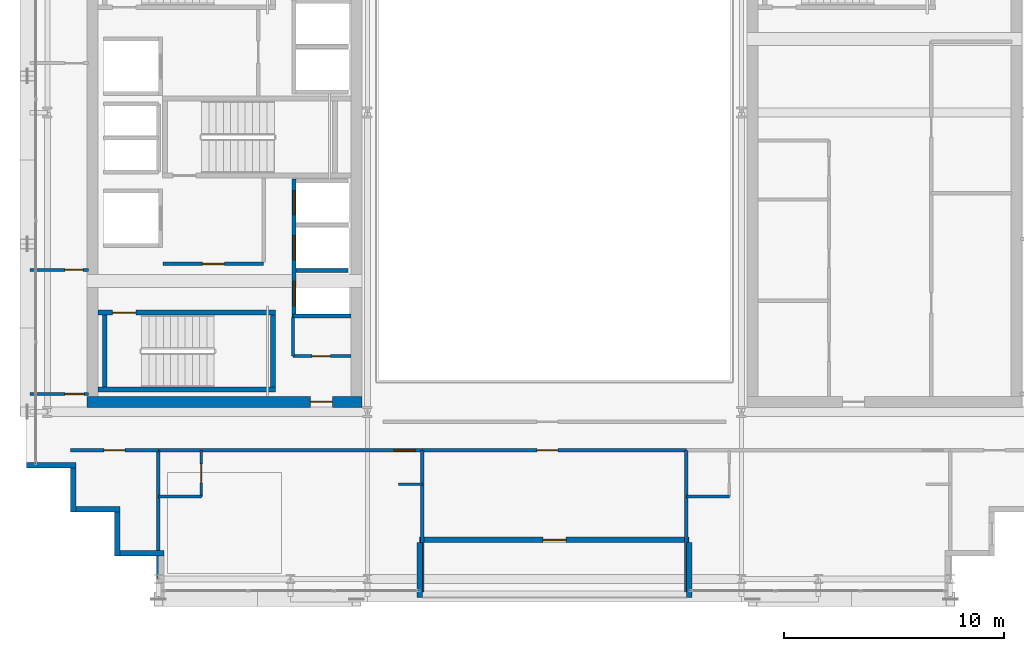
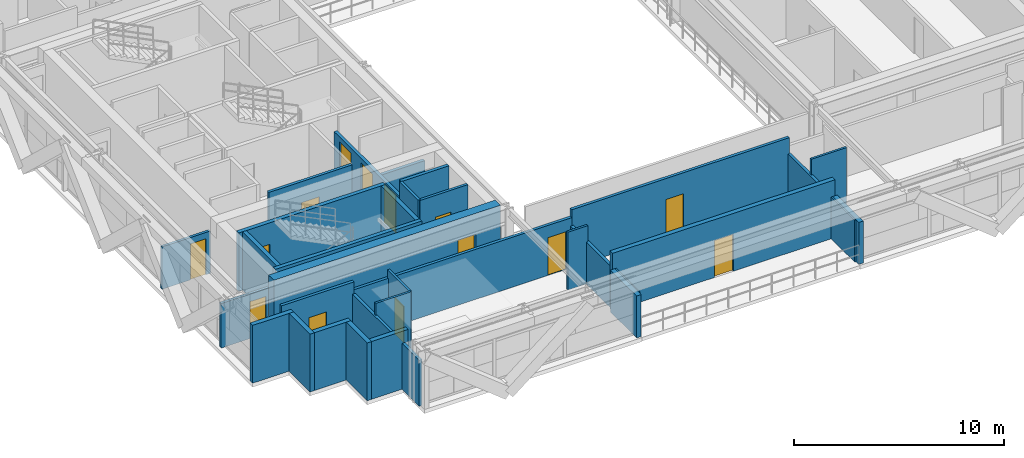
# One storey, part 24 of 31: 31 walls, 14 doors, 14 openings.
"""IFC4 building model written with IfcOpenShell, lengths in metres."""

from ifc_helpers import new_model, si_unit, direction, frame, frame_2d, origin, place, context, subcontext, project, spatial, rectangle, extrude, source, transform, mapped, material, layer, layer_set, type_object, element, fill, save


model = new_model("IFC4")

# Units and contexts
model_context = context("Model", 3, precision=1e-05, world=origin(), true_north=direction((0.0, 1.0)))
body_context = subcontext(model_context, "Body", "Model", "MODEL_VIEW")
ifc_project = project(units=[si_unit("LENGTHUNIT", "METRE"), si_unit("AREAUNIT", "SQUARE_METRE"), si_unit("VOLUMEUNIT", "CUBIC_METRE"), si_unit("PLANEANGLEUNIT", "RADIAN"), si_unit("MASSUNIT", "GRAM", prefix="KILO")], contexts=[model_context])

# Site, building, storey
site_placement = place(None, origin())
site = spatial("IfcSite", under=ifc_project, at=site_placement, CompositionType="ELEMENT")
building_placement = place(site_placement, origin())
building = spatial("IfcBuilding", under=site, at=building_placement, Name="Ocotamira Hotel", CompositionType="ELEMENT")
storey_placement = place(building_placement, frame((0.0, 0.0, 199.199951171875)))
storey = spatial("IfcBuildingStorey", under=building, at=storey_placement, Name="L50", CompositionType="ELEMENT", Elevation=199.199951171875)

# Wall, opening, door
ifc_material_1 = material(Name="Concrete C50/60", Category="concrete")
ifc_layer_1 = layer(ifc_material_1, 0.5)
ifc_layer_set_1 = layer_set([ifc_layer_1], Name="Concrete C50/60")
wall_type_1 = type_object("IfcWallType", Name="WL-CORE-500", PredefinedType="SHEAR", material=ifc_layer_set_1)
wall_1_placement = place(storey_placement, frame((10.75, 15.0, 0.0), z_axis=(0.0, 0.0, 1.0), x_axis=(1.0, 0.0, 0.0)))
wall_1 = element("IfcWall", 1, at=wall_1_placement, inside=storey, type_object=wall_type_1, Name="L50 Shear Core Wall WCORE-S", PredefinedType="SHEAR", context=body_context, shape_type="SweptSolid", body=[
    extrude(rectangle(XDim=12.5, YDim=0.5, at=frame_2d((6.25, 0.0))), origin(), (0.0, 0.0, 1.0), 3.3701171875),
])
opening_1_placement = place(wall_1_placement, frame((10.14990234375, 0.0, 0.0)))
opening_1 = element("IfcOpeningElement", 2, at=opening_1_placement, cuts=wall_1, Name="Opening D-FR2", PredefinedType="OPENING", context=body_context, shape_type="SweptSolid", body=[
    extrude(rectangle(XDim=1.0, YDim=2.14990234375, at=frame_2d((0.5, 1.074951171875))), frame((0.0, 0.260009765625, 0.0), z_axis=(0.0, -1.0, 0.0), x_axis=(1.0, 0.0, 0.0)), (0.0, 0.0, 1.0), 0.52001953125),
])
ifc_material_2 = material(Name="Fire-rated acoustic timber-veneer door", Category="wood")
door_type_1 = type_object("IfcDoorType", Name="DR-FIRE-1000", OperationType="NOTDEFINED", PredefinedType="DOOR", material=ifc_material_2)
shared_shape_1 = source(origin(), body_context, "Body", "SweptSolid", [
    extrude(rectangle(XDim=1.0, YDim=2.14990234375, at=frame_2d((0.5, 1.074951171875))), frame((0.0, 0.02490234375, 0.0), z_axis=(0.0, -1.0, 0.0), x_axis=(1.0, 0.0, 0.0)), (0.0, 0.0, 1.0), 0.050048828125),
])
door_1_placement = place(opening_1_placement, origin())
door_1 = element("IfcDoor", 3, at=door_1_placement, inside=storey, type_object=door_type_1, Name="L50 Door ID-L50-WLOB-S-D [ID-L50-WLOB-S-D]", OperationType="SINGLE_SWING_LEFT", OverallHeight=2.14990234375, OverallWidth=1.0, PredefinedType="DOOR", context=body_context, shape_type="MappedRepresentation", body=[
    mapped(shared_shape_1, transform((0.0, 0.0, 0.0), scale=1.0)),
])
fill(opening_1, door_1)

# Walls
ifc_material_3 = material(Name="Precast concrete C45/55", Category="concrete")
ifc_layer_2 = layer(ifc_material_3, 0.25)
ifc_layer_set_2 = layer_set([ifc_layer_2], Name="Precast concrete C45/55")
wall_type_2 = type_object("IfcWallType", Name="WL-EXT-SER-250", PredefinedType="SOLIDWALL", material=ifc_layer_set_2)
wall_2_placement = place(storey_placement, frame((8.0, 12.125, 0.0), z_axis=(0.0, 0.0, 1.0), x_axis=(1.0, 0.0, 0.0)))
element("IfcWall", 4, at=wall_2_placement, inside=storey, type_object=wall_type_2, Name="L50 Serrated Corner Wall 19", PredefinedType="SOLIDWALL", context=body_context, shape_type="SweptSolid", body=[
    extrude(rectangle(XDim=2.25, YDim=0.25, at=frame_2d((1.125, 0.0))), origin(), (0.0, 0.0, 1.0), 3.3701171875),
])
for number, where, z_axis, x_axis, name in (
    (5, (10.125, 12.0, 0.0), (0.0, 0.0, 1.0), (0.0, -1.0, 0.0), "L50 Serrated Corner Wall 20"),
    (6, (10.25, 10.125, 0.0), (0.0, 0.0, 1.0), (1.0, 0.0, 0.0), "L50 Serrated Corner Wall 21"),
    (7, (12.125, 10.0, 0.0), (0.0, 0.0, 1.0), (0.0, -1.0, 0.0), "L50 Serrated Corner Wall 22"),
    (8, (12.25, 8.125, 0.0), (0.0, 0.0, 1.0), (1.0, 0.0, 0.0), "L50 Serrated Corner Wall 23"),
):
    element("IfcWall", number, at=place(storey_placement, frame(where, z_axis=z_axis, x_axis=x_axis)), inside=storey, type_object=wall_type_2, Name=name, PredefinedType="SOLIDWALL", context=body_context, shape_type="SweptSolid", body=[
        extrude(rectangle(XDim=2.0, YDim=0.25, at=frame_2d((1.0, 0.0))), origin(), (0.0, 0.0, 1.0), 3.3701171875),
    ])

# Wall, opening, door
wall_3_placement = place(storey_placement, frame((25.875, 8.72509765625, 0.0), z_axis=(0.0, 0.0, 1.0), x_axis=(1.0, 0.0, 0.0)))
wall_3 = element("IfcWall", 9, at=wall_3_placement, inside=storey, type_object=wall_type_2, Name="L50 Sky Terrace Back Wall 1", PredefinedType="SOLIDWALL", context=body_context, shape_type="SweptSolid", body=[
    extrude(rectangle(XDim=12.25, YDim=0.25, at=frame_2d((6.125, 0.0))), origin(), (0.0, 0.0, 1.0), 3.3701171875),
])
opening_2_placement = place(wall_3_placement, frame((5.60009765625, 0.0, 0.0)))
opening_2 = element("IfcOpeningElement", 10, at=opening_2_placement, cuts=wall_3, Name="Opening ED-3", PredefinedType="OPENING", context=body_context, shape_type="SweptSolid", body=[
    extrude(rectangle(XDim=1.050048828125, YDim=2.14990234375, at=frame_2d((0.52490234375, 1.074951171875))), frame((0.0, 0.135009765625, 0.0), z_axis=(0.0, -1.0, 0.0), x_axis=(1.0, 0.0, 0.0)), (0.0, 0.0, 1.0), 0.27001953125),
])
ifc_material_4 = material(Name="Thermally broken aluminium glazed door", Category="aluminium")
door_type_2 = type_object("IfcDoorType", Name="DR-TERR-1050", OperationType="NOTDEFINED", PredefinedType="DOOR", material=ifc_material_4)
shared_shape_2 = source(origin(), body_context, "Body", "SweptSolid", [
    extrude(rectangle(XDim=1.050048828125, YDim=2.14990234375, at=frame_2d((0.52490234375, 1.074951171875))), frame((0.0, 0.02490234375, 0.0), z_axis=(0.0, -1.0, 0.0), x_axis=(1.0, 0.0, 0.0)), (0.0, 0.0, 1.0), 0.050048828125),
])
door_2_placement = place(opening_2_placement, origin())
door_2 = element("IfcDoor", 11, at=door_2_placement, inside=storey, type_object=door_type_2, Name="L50 Sky Terrace Access Door 1 [ED-BAL-L50-1]", OperationType="SINGLE_SWING_RIGHT", OverallHeight=2.14990234375, OverallWidth=1.050048828125, PredefinedType="DOOR", context=body_context, shape_type="MappedRepresentation", body=[
    mapped(shared_shape_2, transform((0.0, 0.0, 0.0), scale=1.0)),
])
fill(opening_2, door_2)

# Walls
for number, where, z_axis, x_axis, name in (
    (12, (25.875, 6.10009765625, 0.0), (0.0, 0.0, 1.0), (0.0, 1.0, 0.0), "L50 Sky Terrace Return Wall 1L"),
    (13, (38.125, 6.10009765625, 0.0), (0.0, 0.0, 1.0), (0.0, 1.0, 0.0), "L50 Sky Terrace Return Wall 1R"),
):
    element("IfcWall", number, at=place(storey_placement, frame(where, z_axis=z_axis, x_axis=x_axis)), inside=storey, type_object=wall_type_2, Name=name, PredefinedType="SOLIDWALL", context=body_context, shape_type="SweptSolid", body=[
        extrude(rectangle(XDim=2.5, YDim=0.25, at=frame_2d((1.25, 0.0))), origin(), (0.0, 0.0, 1.0), 2.443115234375),
    ])

# Wall, opening, door
ifc_material_5 = material(Name="Acoustic double-layer fire gypsum board partition", Category="gypsum")
ifc_layer_3 = layer(ifc_material_5, 0.159912109375)
ifc_layer_set_3 = layer_set([ifc_layer_3], Name="Acoustic double-layer fire gypsum board partition")
wall_type_3 = type_object("IfcWallType", Name="WL-FIRE-160", PredefinedType="PARTITIONING", material=ifc_layer_set_3)
wall_4_placement = place(storey_placement, frame((14.199951171875, 21.27001953125, 0.0), z_axis=(0.0, 0.0, 1.0), x_axis=(1.0, 0.0, 0.0)))
wall_4 = element("IfcWall", 14, at=wall_4_placement, inside=storey, type_object=wall_type_3, Name="L50 Interior Wall PW-L50-FSAE1-S", PredefinedType="PARTITIONING", context=body_context, shape_type="SweptSolid", body=[
    extrude(rectangle(XDim=4.580078125, YDim=0.159912109375, at=frame_2d((2.2900390625, 0.0))), origin(), (0.0, 0.0, 1.0), 3.3701171875),
])
opening_3_placement = place(wall_4_placement, frame((1.800048828125, 0.0, 0.0)))
opening_3 = element("IfcOpeningElement", 15, at=opening_3_placement, cuts=wall_4, Name="Opening D-FR2", PredefinedType="OPENING", context=body_context, shape_type="SweptSolid", body=[
    extrude(rectangle(XDim=1.0, YDim=2.14990234375, at=frame_2d((0.5, 1.074951171875))), frame((0.0, 0.08984375, 0.0), z_axis=(0.0, -1.0, 0.0), x_axis=(1.0, 0.0, 0.0)), (0.0, 0.0, 1.0), 0.179931640625),
])
door_3_placement = place(opening_3_placement, origin())
door_3 = element("IfcDoor", 16, at=door_3_placement, inside=storey, type_object=door_type_1, Name="L50 Door ID-L50-FSAE1-D [ID-L50-FSAE1-D]", OperationType="SINGLE_SWING_LEFT", OverallHeight=2.14990234375, OverallWidth=1.0, PredefinedType="DOOR", context=body_context, shape_type="MappedRepresentation", body=[
    mapped(shared_shape_1, transform((0.0, 0.0, 0.0), scale=1.0)),
])
fill(opening_3, door_3)

wall_5_placement = place(storey_placement, frame((10.0, 12.800048828125, 0.0), z_axis=(0.0, 0.0, 1.0), x_axis=(1.0, 0.0, 0.0)))
wall_5 = element("IfcWall", 17, at=wall_5_placement, inside=storey, type_object=wall_type_3, Name="L50 Interior Wall PW-L50-Z3D-CSW-CW", PredefinedType="PARTITIONING", context=body_context, shape_type="SweptSolid", body=[
    extrude(rectangle(XDim=4.0, YDim=0.159912109375, at=frame_2d((2.0, 0.0))), origin(), (0.0, 0.0, 1.0), 3.3701171875),
])
opening_4_placement = place(wall_5_placement, frame((1.52001953125, 0.0, 0.0)))
opening_4 = element("IfcOpeningElement", 18, at=opening_4_placement, cuts=wall_5, Name="Opening D-SV4", PredefinedType="OPENING", context=body_context, shape_type="SweptSolid", body=[
    extrude(rectangle(XDim=0.9599609375, YDim=2.14990234375, at=frame_2d((0.47998046875, 1.074951171875))), frame((0.0, 0.08984375, 0.0), z_axis=(0.0, -1.0, 0.0), x_axis=(1.0, 0.0, 0.0)), (0.0, 0.0, 1.0), 0.179931640625),
])
ifc_material_6 = material(Name="Fire-rated accessible walnut salon door", Category="wood")
door_type_3 = type_object("IfcDoorType", Name="DR-SERV-960", OperationType="NOTDEFINED", PredefinedType="DOOR", material=ifc_material_6)
shared_shape_3 = source(origin(), body_context, "Body", "SweptSolid", [
    extrude(rectangle(XDim=0.9599609375, YDim=2.14990234375, at=frame_2d((0.47998046875, 1.074951171875))), frame((0.0, 0.02490234375, 0.0), z_axis=(0.0, -1.0, 0.0), x_axis=(1.0, 0.0, 0.0)), (0.0, 0.0, 1.0), 0.050048828125),
])
door_4_placement = place(opening_4_placement, origin())
door_4 = element("IfcDoor", 19, at=door_4_placement, inside=storey, type_object=door_type_3, Name="L50 Door ID-L50-Z3D-CSW-CD [ID-L50-Z3D-CSW-CD]", OperationType="SINGLE_SWING_LEFT", OverallHeight=2.14990234375, OverallWidth=0.9599609375, PredefinedType="DOOR", context=body_context, shape_type="MappedRepresentation", body=[
    mapped(shared_shape_3, transform((0.0, 0.0, 0.0), scale=1.0)),
])
fill(opening_4, door_4)

wall_6_placement = place(storey_placement, frame((14.0, 12.800048828125, 0.0), z_axis=(0.0, 0.0, 1.0), x_axis=(1.0, 0.0, 0.0)))
wall_6 = element("IfcWall", 20, at=wall_6_placement, inside=storey, type_object=wall_type_3, Name="L50 Interior Wall PW-L50-Z3DSW-CORRW", PredefinedType="PARTITIONING", context=body_context, shape_type="SweptSolid", body=[
    extrude(rectangle(XDim=12.0, YDim=0.159912109375, at=frame_2d((6.0, 0.0))), origin(), (0.0, 0.0, 1.0), 2.9130859375),
])
opening_5_placement = place(wall_6_placement, frame((10.699951171875, 0.0, 0.0)))
opening_5 = element("IfcOpeningElement", 21, at=opening_5_placement, cuts=wall_6, Name="Opening D-GR2", PredefinedType="OPENING", context=body_context, shape_type="SweptSolid", body=[
    extrude(rectangle(XDim=0.97998046875, YDim=2.199951171875, at=frame_2d((0.489990234375, 1.10009765625))), frame((0.0, 0.08984375, 0.0), z_axis=(0.0, -1.0, 0.0), x_axis=(1.0, 0.0, 0.0)), (0.0, 0.0, 1.0), 0.179931640625),
])
ifc_material_7 = material(Name="Solid-core walnut grand-suite entrance fire door", Category="wood")
door_type_4 = type_object("IfcDoorType", Name="DR-GUEST-980", OperationType="NOTDEFINED", PredefinedType="DOOR", material=ifc_material_7)
shared_shape_4 = source(origin(), body_context, "Body", "SweptSolid", [
    extrude(rectangle(XDim=0.97998046875, YDim=2.199951171875, at=frame_2d((0.489990234375, 1.10009765625))), frame((0.0, 0.02490234375, 0.0), z_axis=(0.0, -1.0, 0.0), x_axis=(1.0, 0.0, 0.0)), (0.0, 0.0, 1.0), 0.050048828125),
])
door_5_placement = place(opening_5_placement, origin())
door_5 = element("IfcDoor", 22, at=door_5_placement, inside=storey, type_object=door_type_4, Name="L50 Door ID-L50-Z3DSW-RMD1 [ID-L50-Z3DSW-RMD1]", OperationType="SINGLE_SWING_LEFT", OverallHeight=2.199951171875, OverallWidth=0.97998046875, PredefinedType="DOOR", context=body_context, shape_type="MappedRepresentation", body=[
    mapped(shared_shape_4, transform((0.0, 0.0, 0.0), scale=1.0)),
])
fill(opening_5, door_5)

wall_7_placement = place(storey_placement, frame((26.0, 12.800048828125, 0.0), z_axis=(0.0, 0.0, 1.0), x_axis=(1.0, 0.0, 0.0)))
wall_7 = element("IfcWall", 23, at=wall_7_placement, inside=storey, type_object=wall_type_3, Name="L50 Interior Wall PW-L50-Z3D-TSALN", PredefinedType="PARTITIONING", context=body_context, shape_type="SweptSolid", body=[
    extrude(rectangle(XDim=12.0, YDim=0.159912109375, at=frame_2d((6.0, 0.0))), origin(), (0.0, 0.0, 1.0), 3.3701171875),
])
opening_6_placement = place(wall_7_placement, frame((5.199951171875, 0.0, 0.0)))
opening_6 = element("IfcOpeningElement", 24, at=opening_6_placement, cuts=wall_7, Name="Opening D-SV4", PredefinedType="OPENING", context=body_context, shape_type="SweptSolid", body=[
    extrude(rectangle(XDim=0.9599609375, YDim=2.14990234375, at=frame_2d((0.47998046875, 1.074951171875))), frame((0.0, 0.08984375, 0.0), z_axis=(0.0, -1.0, 0.0), x_axis=(1.0, 0.0, 0.0)), (0.0, 0.0, 1.0), 0.179931640625),
])
door_6_placement = place(opening_6_placement, origin())
door_6 = element("IfcDoor", 25, at=door_6_placement, inside=storey, type_object=door_type_3, Name="L50 Door ID-L50-Z3D-TSALD [ID-L50-Z3D-TSALD]", OperationType="SINGLE_SWING_LEFT", OverallHeight=2.14990234375, OverallWidth=0.9599609375, PredefinedType="DOOR", context=body_context, shape_type="MappedRepresentation", body=[
    mapped(shared_shape_3, transform((0.0, 0.0, 0.0), scale=1.0)),
])
fill(opening_6, door_6)

ifc_material_8 = material(Name="Moisture-resistant en-suite tile and gypsum partition", Category="gypsum")
ifc_layer_4 = layer(ifc_material_8, 0.1201171875)
ifc_layer_set_4 = layer_set([ifc_layer_4], Name="Moisture-resistant en-suite tile and gypsum partition")
wall_type_4 = type_object("IfcWallType", Name="WL-PART-120", PredefinedType="PARTITIONING", material=ifc_layer_set_4)
wall_8_placement = place(storey_placement, frame((15.949951171875, 10.699951171875, 0.0), z_axis=(0.0, 0.0, 1.0), x_axis=(0.0, 1.0, 0.0)))
wall_8 = element("IfcWall", 26, at=wall_8_placement, inside=storey, type_object=wall_type_4, Name="L50 Interior Wall PW-L50-Z3DSW-BAE1", PredefinedType="PARTITIONING", context=body_context, shape_type="SweptSolid", body=[
    extrude(rectangle(XDim=2.10009765625, YDim=0.1201171875, at=frame_2d((1.050048828125, 0.0))), origin(), (0.0, 0.0, 1.0), 3.3701171875),
])
opening_7_placement = place(wall_8_placement, frame((0.6201171875, 0.0, 0.0)))
opening_7 = element("IfcOpeningElement", 27, at=opening_7_placement, cuts=wall_8, Name="Opening D-BA1", PredefinedType="OPENING", context=body_context, shape_type="SweptSolid", body=[
    extrude(rectangle(XDim=0.860107421875, YDim=2.10009765625, at=frame_2d((0.43017578125, 1.050048828125))), frame((0.0, 0.070068359375, 0.0), z_axis=(0.0, -1.0, 0.0), x_axis=(1.0, 0.0, 0.0)), (0.0, 0.0, 1.0), 0.14013671875),
])
ifc_material_9 = material(Name="Moisture-sealed en-suite timber door", Category="wood")
door_type_5 = type_object("IfcDoorType", Name="DR-BATH-860", OperationType="NOTDEFINED", PredefinedType="DOOR", material=ifc_material_9)
shared_shape_5 = source(origin(), body_context, "Body", "SweptSolid", [
    extrude(rectangle(XDim=0.860107421875, YDim=2.10009765625, at=frame_2d((0.43017578125, 1.050048828125))), frame((0.0, 0.02490234375, 0.0), z_axis=(0.0, -1.0, 0.0), x_axis=(1.0, 0.0, 0.0)), (0.0, 0.0, 1.0), 0.050048828125),
])
door_7_placement = place(opening_7_placement, origin())
door_7 = element("IfcDoor", 28, at=door_7_placement, inside=storey, type_object=door_type_5, Name="L50 Door ID-L50-Z3DSW-BAD1 [ID-L50-Z3DSW-BAD1]", OperationType="SINGLE_SWING_RIGHT", OverallHeight=2.10009765625, OverallWidth=0.860107421875, PredefinedType="DOOR", context=body_context, shape_type="MappedRepresentation", body=[
    mapped(shared_shape_5, transform((0.0, 0.0, 0.0), scale=1.0)),
])
fill(opening_7, door_7)

# Walls
wall_9_placement = place(storey_placement, frame((14.0, 10.699951171875, 0.0), z_axis=(0.0, 0.0, 1.0), x_axis=(1.0, 0.0, 0.0)))
element("IfcWall", 29, at=wall_9_placement, inside=storey, type_object=wall_type_4, Name="L50 Interior Wall PW-L50-Z3DSW-BAS1", PredefinedType="PARTITIONING", context=body_context, shape_type="SweptSolid", body=[
    extrude(rectangle(XDim=1.949951171875, YDim=0.1201171875, at=frame_2d((0.97509765625, 0.0))), origin(), (0.0, 0.0, 1.0), 3.3701171875),
])
wall_10_placement = place(storey_placement, frame((24.89990234375, 11.25, 0.0), z_axis=(0.0, 0.0, 1.0), x_axis=(1.0, 0.0, 0.0)))
element("IfcWall", 30, at=wall_10_placement, inside=storey, type_object=wall_type_4, Name="L50 Interior Wall PW-L50-Z3DSW-DRN1", PredefinedType="PARTITIONING", context=body_context, shape_type="SweptSolid", body=[
    extrude(rectangle(XDim=1.10009765625, YDim=0.1201171875, at=frame_2d((0.550048828125, 0.0))), origin(), (0.0, 0.0, 1.0), 3.3701171875),
])
wall_11_placement = place(storey_placement, frame((38.0, 10.699951171875, 0.0), z_axis=(0.0, 0.0, 1.0), x_axis=(1.0, 0.0, 0.0)))
element("IfcWall", 31, at=wall_11_placement, inside=storey, type_object=wall_type_4, Name="L50 Interior Wall PW-L50-Z3DSE-BAS1", PredefinedType="PARTITIONING", context=body_context, shape_type="SweptSolid", body=[
    extrude(rectangle(XDim=1.949951171875, YDim=0.1201171875, at=frame_2d((0.97509765625, 0.0))), origin(), (0.0, 0.0, 1.0), 3.3701171875),
])
ifc_material_10 = material(Name="Acoustic hospitality gypsum board partition", Category="gypsum")
ifc_layer_5 = layer(ifc_material_10, 0.14208984375)
ifc_layer_set_5 = layer_set([ifc_layer_5], Name="Acoustic hospitality gypsum board partition")
wall_type_5 = type_object("IfcWallType", Name="WL-PART-142", PredefinedType="PARTITIONING", material=ifc_layer_set_5)
wall_12_placement = place(storey_placement, frame((20.1201171875, 17.080078125, 0.0), z_axis=(0.0, 0.0, 1.0), x_axis=(0.0, 1.0, 0.0)))
element("IfcWall", 32, at=wall_12_placement, inside=storey, type_object=wall_type_5, Name="L50 Interior Wall PW-L50-WC-SE-W2", PredefinedType="PARTITIONING", context=body_context, shape_type="SweptSolid", body=[
    extrude(rectangle(XDim=1.760009765625, YDim=0.14208984375, at=frame_2d((0.8798828125, 0.0))), origin(), (0.0, 0.0, 1.0), 3.3701171875),
])

# Wall, opening, door
wall_13_placement = place(storey_placement, frame((20.1201171875, 17.080078125, 0.0), z_axis=(0.0, 0.0, 1.0), x_axis=(1.0, 0.0, 0.0)))
wall_13 = element("IfcWall", 33, at=wall_13_placement, inside=storey, type_object=wall_type_5, Name="L50 Interior Wall PW-L50-WC-SE-S2", PredefinedType="PARTITIONING", context=body_context, shape_type="SweptSolid", body=[
    extrude(rectangle(XDim=2.6298828125, YDim=0.14208984375, at=frame_2d((1.31494140625, 0.0))), origin(), (0.0, 0.0, 1.0), 3.3701171875),
])
opening_8_placement = place(wall_13_placement, frame((0.85009765625, 0.0, 0.0)))
opening_8 = element("IfcOpeningElement", 34, at=opening_8_placement, cuts=wall_13, Name="Opening D-SV1", PredefinedType="OPENING", context=body_context, shape_type="SweptSolid", body=[
    extrude(rectangle(XDim=0.840087890625, YDim=2.10009765625, at=frame_2d((0.419921875, 1.050048828125))), frame((0.0, 0.0810546875, 0.0), z_axis=(0.0, -1.0, 0.0), x_axis=(1.0, 0.0, 0.0)), (0.0, 0.0, 1.0), 0.162109375),
])
ifc_material_11 = material(Name="Fire-rated painted steel service door", Category="steel")
door_type_6 = type_object("IfcDoorType", Name="DR-SERV-840", OperationType="NOTDEFINED", PredefinedType="DOOR", material=ifc_material_11)
shared_shape_6 = source(origin(), body_context, "Body", "SweptSolid", [
    extrude(rectangle(XDim=0.840087890625, YDim=2.10009765625, at=frame_2d((0.419921875, 1.050048828125))), frame((0.0, 0.02490234375, 0.0), z_axis=(0.0, -1.0, 0.0), x_axis=(1.0, 0.0, 0.0)), (0.0, 0.0, 1.0), 0.050048828125),
])
door_8_placement = place(opening_8_placement, origin())
door_8 = element("IfcDoor", 35, at=door_8_placement, inside=storey, type_object=door_type_6, Name="L50 Door ID-L50-WC-SE-D2 [ID-L50-WC-SE-D2]", OperationType="SINGLE_SWING_LEFT", OverallHeight=2.10009765625, OverallWidth=0.840087890625, PredefinedType="DOOR", context=body_context, shape_type="MappedRepresentation", body=[
    mapped(shared_shape_6, transform((0.0, 0.0, 0.0), scale=1.0)),
])
fill(opening_8, door_8)

wall_14_placement = place(storey_placement, frame((8.159912109375, 21.0, 0.0), z_axis=(0.0, 0.0, 1.0), x_axis=(1.0, 0.0, 0.0)))
wall_14 = element("IfcWall", 36, at=wall_14_placement, inside=storey, type_object=wall_type_5, Name="L50 Interior Wall PW-L50-Z3D-WF-DV1", PredefinedType="PARTITIONING", context=body_context, shape_type="SweptSolid", body=[
    extrude(rectangle(XDim=2.66015625, YDim=0.14208984375, at=frame_2d((1.330078125, 0.0))), origin(), (0.0, 0.0, 1.0), 2.469970703125),
])
opening_9_placement = place(wall_14_placement, frame((1.580078125, 0.0, 0.0)))
opening_9 = element("IfcOpeningElement", 37, at=opening_9_placement, cuts=wall_14, Name="Opening D-SV1", PredefinedType="OPENING", context=body_context, shape_type="SweptSolid", body=[
    extrude(rectangle(XDim=0.840087890625, YDim=2.10009765625, at=frame_2d((0.419921875, 1.050048828125))), frame((0.0, 0.0810546875, 0.0), z_axis=(0.0, -1.0, 0.0), x_axis=(1.0, 0.0, 0.0)), (0.0, 0.0, 1.0), 0.162109375),
])
door_9_placement = place(opening_9_placement, origin())
door_9 = element("IfcDoor", 38, at=door_9_placement, inside=storey, type_object=door_type_6, Name="L50 Door ID-L50-Z3D-WF-DV1D [ID-L50-Z3D-WF-DV1D]", OperationType="SINGLE_SWING_LEFT", OverallHeight=2.10009765625, OverallWidth=0.840087890625, PredefinedType="DOOR", context=body_context, shape_type="MappedRepresentation", body=[
    mapped(shared_shape_6, transform((0.0, 0.0, 0.0), scale=1.0)),
])
fill(opening_9, door_9)

ifc_layer_6 = layer(ifc_material_10, 0.14990234375)
ifc_layer_set_6 = layer_set([ifc_layer_6], Name="Acoustic hospitality gypsum board partition")
wall_type_6 = type_object("IfcWallType", Name="WL-PART-150", PredefinedType="PARTITIONING", material=ifc_layer_set_6)
wall_15_placement = place(storey_placement, frame((8.159912109375, 15.360107421875, 0.0), z_axis=(0.0, 0.0, 1.0), x_axis=(1.0, 0.0, 0.0)))
wall_15 = element("IfcWall", 39, at=wall_15_placement, inside=storey, type_object=wall_type_6, Name="L50 Interior Wall PW-L50-Z3D-WF-WS", PredefinedType="PARTITIONING", context=body_context, shape_type="SweptSolid", body=[
    extrude(rectangle(XDim=2.66015625, YDim=0.14990234375, at=frame_2d((1.330078125, 0.0))), origin(), (0.0, 0.0, 1.0), 2.591064453125),
])
opening_10_placement = place(wall_15_placement, frame((1.580078125, 0.0, 0.0)))
opening_10 = element("IfcOpeningElement", 40, at=opening_10_placement, cuts=wall_15, Name="Opening D-SV2", PredefinedType="OPENING", context=body_context, shape_type="SweptSolid", body=[
    extrude(rectangle(XDim=0.8798828125, YDim=2.14990234375, at=frame_2d((0.43994140625, 1.074951171875))), frame((0.0, 0.0849609375, 0.0), z_axis=(0.0, -1.0, 0.0), x_axis=(1.0, 0.0, 0.0)), (0.0, 0.0, 1.0), 0.169921875),
])
door_type_7 = type_object("IfcDoorType", Name="DR-SERV-880", OperationType="NOTDEFINED", PredefinedType="DOOR", material=ifc_material_11)
shared_shape_7 = source(origin(), body_context, "Body", "SweptSolid", [
    extrude(rectangle(XDim=0.8798828125, YDim=2.14990234375, at=frame_2d((0.43994140625, 1.074951171875))), frame((0.0, 0.02490234375, 0.0), z_axis=(0.0, -1.0, 0.0), x_axis=(1.0, 0.0, 0.0)), (0.0, 0.0, 1.0), 0.050048828125),
])
door_10_placement = place(opening_10_placement, origin())
door_10 = element("IfcDoor", 41, at=door_10_placement, inside=storey, type_object=door_type_7, Name="L50 Door ID-L50-Z3D-WF-DS [ID-L50-Z3D-WF-DS]", OperationType="SINGLE_SWING_LEFT", OverallHeight=2.14990234375, OverallWidth=0.8798828125, PredefinedType="DOOR", context=body_context, shape_type="MappedRepresentation", body=[
    mapped(shared_shape_7, transform((0.0, 0.0, 0.0), scale=1.0)),
])
fill(opening_10, door_10)

# Walls
ifc_material_12 = material(Name="Acoustic double-stud hospitality gypsum partition", Category="gypsum")
ifc_layer_7 = layer(ifc_material_12, 0.159912109375)
ifc_layer_set_7 = layer_set([ifc_layer_7], Name="Acoustic double-stud hospitality gypsum partition")
wall_type_7 = type_object("IfcWallType", Name="WL-PART-160", PredefinedType="PARTITIONING", material=ifc_layer_set_7)
wall_16_placement = place(storey_placement, frame((14.0, 6.360107421875, 0.0), z_axis=(0.0, 0.0, 1.0), x_axis=(0.0, 1.0, 0.0)))
element("IfcWall", 42, at=wall_16_placement, inside=storey, type_object=wall_type_7, Name="L50 Interior Wall PW-L50-Z3DSW-PW0", PredefinedType="PARTITIONING", context=body_context, shape_type="SweptSolid", body=[
    extrude(rectangle(XDim=6.43994140625, YDim=0.159912109375, at=frame_2d((3.219970703125, 0.0))), origin(), (0.0, 0.0, 1.0), 2.677001953125),
])
for number, where, z_axis, x_axis, name in (
    (43, (26.0, 6.360107421875, 0.0), (0.0, 0.0, 1.0), (0.0, 1.0, 0.0), "L50 Interior Wall PW-L50-Z3DSW-PWEND"),
    (44, (38.0, 6.360107421875, 0.0), (0.0, 0.0, 1.0), (0.0, 1.0, 0.0), "L50 Interior Wall PW-L50-Z3DSE-PW0"),
):
    element("IfcWall", number, at=place(storey_placement, frame(where, z_axis=z_axis, x_axis=x_axis)), inside=storey, type_object=wall_type_7, Name=name, PredefinedType="PARTITIONING", context=body_context, shape_type="SweptSolid", body=[
        extrude(rectangle(XDim=6.43994140625, YDim=0.159912109375, at=frame_2d((3.219970703125, 0.0))), origin(), (0.0, 0.0, 1.0), 2.443115234375),
    ])

# Wall, openings, doors
ifc_material_13 = material(Name="Fire-rated gypsum shaftliner board assembly", Category="gypsum")
ifc_layer_8 = layer(ifc_material_13, 0.179931640625)
ifc_layer_set_8 = layer_set([ifc_layer_8], Name="Fire-rated gypsum shaftliner board assembly")
wall_type_8 = type_object("IfcWallType", Name="WL-SHAFT-180", PredefinedType="SOLIDWALL", material=ifc_layer_set_8)
wall_17_placement = place(storey_placement, frame((20.159912109375, 18.820068359375, 0.0), z_axis=(0.0, 0.0, 1.0), x_axis=(0.0, 1.0, 0.0)))
wall_17 = element("IfcWall", 45, at=wall_17_placement, inside=storey, type_object=wall_type_8, Name="L50 Interior Wall PW-L50-LFW-BANK-high-F", PredefinedType="SOLIDWALL", context=body_context, shape_type="SweptSolid", body=[
    extrude(rectangle(XDim=6.31982421875, YDim=0.179931640625, at=frame_2d((3.159912109375, 0.0))), origin(), (0.0, 0.0, 1.0), 2.469970703125),
])
opening_11_placement = place(wall_17_placement, frame((0.554931640625, 0.0, 0.0)))
opening_11 = element("IfcOpeningElement", 46, at=opening_11_placement, cuts=wall_17, Name="Opening LD-LF-P7", PredefinedType="OPENING", context=body_context, shape_type="SweptSolid", body=[
    extrude(rectangle(XDim=1.10009765625, YDim=2.199951171875, at=frame_2d((0.550048828125, 1.10009765625))), frame((0.0, 0.10009765625, 0.0), z_axis=(0.0, -1.0, 0.0), x_axis=(1.0, 0.0, 0.0)), (0.0, 0.0, 1.0), 0.199951171875),
])
opening_12_placement = place(wall_17_placement, frame((2.635009765625, 0.0, 0.0)))
opening_12 = element("IfcOpeningElement", 47, at=opening_12_placement, cuts=wall_17, Name="Opening LD-LF-P8", PredefinedType="OPENING", context=body_context, shape_type="SweptSolid", body=[
    extrude(rectangle(XDim=1.10009765625, YDim=2.199951171875, at=frame_2d((0.550048828125, 1.10009765625))), frame((0.0, 0.10009765625, 0.0), z_axis=(0.0, -1.0, 0.0), x_axis=(1.0, 0.0, 0.0)), (0.0, 0.0, 1.0), 0.199951171875),
])
opening_13_placement = place(wall_17_placement, frame((4.68994140625, 0.0, 0.0)))
opening_13 = element("IfcOpeningElement", 48, at=opening_13_placement, cuts=wall_17, Name="Opening LD-LF-P9", PredefinedType="OPENING", context=body_context, shape_type="SweptSolid", body=[
    extrude(rectangle(XDim=1.10009765625, YDim=2.199951171875, at=frame_2d((0.550048828125, 1.10009765625))), frame((0.0, 0.10009765625, 0.0), z_axis=(0.0, -1.0, 0.0), x_axis=(1.0, 0.0, 0.0)), (0.0, 0.0, 1.0), 0.199951171875),
])
ifc_material_14 = material(Name="Brushed pale-metal stainless elevator landing door", Category="steel")
door_type_8 = type_object("IfcDoorType", Name="DR-LIFT-1100", OperationType="NOTDEFINED", PredefinedType="DOOR", material=ifc_material_14)
shared_shape_8 = source(origin(), body_context, "Body", "SweptSolid", [
    extrude(rectangle(XDim=1.10009765625, YDim=2.199951171875, at=frame_2d((0.550048828125, 1.10009765625))), frame((0.0, 0.02490234375, 0.0), z_axis=(0.0, -1.0, 0.0), x_axis=(1.0, 0.0, 0.0)), (0.0, 0.0, 1.0), 0.050048828125),
])
door_11_placement = place(opening_11_placement, origin())
door_11 = element("IfcDoor", 49, at=door_11_placement, inside=storey, type_object=door_type_8, Name="L50 Landing Door LD-LF-P7 [ID-L50-LD-LF-P7]", OperationType="DOUBLE_DOOR_SLIDING", OverallHeight=2.199951171875, OverallWidth=1.10009765625, PredefinedType="DOOR", context=body_context, shape_type="MappedRepresentation", body=[
    mapped(shared_shape_8, transform((0.0, 0.0, 0.0), scale=1.0)),
])
fill(opening_11, door_11)
door_12_placement = place(opening_12_placement, origin())
door_12 = element("IfcDoor", 50, at=door_12_placement, inside=storey, type_object=door_type_8, Name="L50 Landing Door LD-LF-P8 [ID-L50-LD-LF-P8]", OperationType="DOUBLE_DOOR_SLIDING", OverallHeight=2.199951171875, OverallWidth=1.10009765625, PredefinedType="DOOR", context=body_context, shape_type="MappedRepresentation", body=[
    mapped(shared_shape_8, transform((0.0, 0.0, 0.0), scale=1.0)),
])
fill(opening_12, door_12)
door_13_placement = place(opening_13_placement, origin())
door_13 = element("IfcDoor", 51, at=door_13_placement, inside=storey, type_object=door_type_8, Name="L50 Landing Door LD-LF-P9 [ID-L50-LD-LF-P9]", OperationType="DOUBLE_DOOR_SLIDING", OverallHeight=2.199951171875, OverallWidth=1.10009765625, PredefinedType="DOOR", context=body_context, shape_type="MappedRepresentation", body=[
    mapped(shared_shape_8, transform((0.0, 0.0, 0.0), scale=1.0)),
])
fill(opening_13, door_13)

# Walls
wall_18_placement = place(storey_placement, frame((20.1201171875, 18.909912109375, 0.0), z_axis=(0.0, 0.0, 1.0), x_axis=(1.0, 0.0, 0.0)))
element("IfcWall", 52, at=wall_18_placement, inside=storey, type_object=wall_type_8, Name="L50 Interior Wall PW-L50-LFW-BANK-high-S", PredefinedType="SOLIDWALL", context=body_context, shape_type="SweptSolid", body=[
    extrude(rectangle(XDim=2.6298828125, YDim=0.179931640625, at=frame_2d((1.31494140625, 0.0))), origin(), (0.0, 0.0, 1.0), 3.3701171875),
])
wall_19_placement = place(storey_placement, frame((20.25, 20.965087890625, 0.0), z_axis=(0.0, 0.0, 1.0), x_axis=(1.0, 0.0, 0.0)))
element("IfcWall", 53, at=wall_19_placement, inside=storey, type_object=wall_type_8, Name="L50 Interior Wall PW-L50-LFW-DIV-LF-P7", PredefinedType="SOLIDWALL", context=body_context, shape_type="SweptSolid", body=[
    extrude(rectangle(XDim=2.360107421875, YDim=0.179931640625, at=frame_2d((1.18017578125, 0.0))), origin(), (0.0, 0.0, 1.0), 2.469970703125),
])
ifc_layer_9 = layer(ifc_material_1, 0.219970703125)
ifc_layer_set_9 = layer_set([ifc_layer_9], Name="Concrete C50/60")
wall_type_9 = type_object("IfcWallType", Name="WL-STAIR-220", PredefinedType="SHEAR", material=ifc_layer_set_9)
wall_20_placement = place(storey_placement, frame((11.25, 15.56005859375, 0.0), z_axis=(0.0, 0.0, 1.0), x_axis=(1.0, 0.0, 0.0)))
element("IfcWall", 54, at=wall_20_placement, inside=storey, type_object=wall_type_9, Name="L50 Stair Shaft Structural Wall ST-1-S", PredefinedType="SHEAR", context=body_context, shape_type="SweptSolid", body=[
    extrude(rectangle(XDim=8.06005859375, YDim=0.219970703125, at=frame_2d((4.030029296875, 0.0))), origin(), (0.0, 0.0, 1.0), 3.400146484375),
])

# Wall, opening, door
wall_21_placement = place(storey_placement, frame((11.25, 19.06005859375, 0.0), z_axis=(0.0, 0.0, 1.0), x_axis=(1.0, 0.0, 0.0)))
wall_21 = element("IfcWall", 55, at=wall_21_placement, inside=storey, type_object=wall_type_9, Name="L50 Stair Shaft Structural Wall ST-1-N", PredefinedType="SHEAR", context=body_context, shape_type="SweptSolid", body=[
    extrude(rectangle(XDim=8.06005859375, YDim=0.219970703125, at=frame_2d((4.030029296875, 0.0))), origin(), (0.0, 0.0, 1.0), 3.400146484375),
])
opening_14_placement = place(wall_21_placement, frame((0.669921875, 0.0, 0.0)))
opening_14 = element("IfcOpeningElement", 56, at=opening_14_placement, cuts=wall_21, Name="Opening D-ST2", PredefinedType="OPENING", context=body_context, shape_type="SweptSolid", body=[
    extrude(rectangle(XDim=1.050048828125, YDim=2.14990234375, at=frame_2d((0.52490234375, 1.074951171875))), frame((0.0, 0.1201171875, 0.0), z_axis=(0.0, -1.0, 0.0), x_axis=(1.0, 0.0, 0.0)), (0.0, 0.0, 1.0), 0.239990234375),
])
ifc_material_15 = material(Name="Insulated painted hollow-metal fire exit door", Category="steel")
door_type_9 = type_object("IfcDoorType", Name="DR-STAIR-1050", OperationType="NOTDEFINED", PredefinedType="DOOR", material=ifc_material_15)
door_14_placement = place(opening_14_placement, origin())
door_14 = element("IfcDoor", 57, at=door_14_placement, inside=storey, type_object=door_type_9, Name="L50 Door ID-L50-STD-ST-1 [ID-L50-STD-ST-1]", OperationType="SINGLE_SWING_LEFT", OverallHeight=2.14990234375, OverallWidth=1.050048828125, PredefinedType="DOOR", context=body_context, shape_type="MappedRepresentation", body=[
    mapped(shared_shape_2, transform((0.0, 0.0, 0.0), scale=1.0)),
])
fill(opening_14, door_14)

# Walls
for number, where, z_axis, x_axis, name in (
    (58, (11.56005859375, 15.669921875, 0.0), (0.0, 0.0, 1.0), (0.0, 1.0, 0.0), "L50 Stair Shaft Structural Wall ST-1-W"),
    (59, (19.199951171875, 15.669921875, 0.0), (0.0, 0.0, 1.0), (0.0, 1.0, 0.0), "L50 Stair Shaft Structural Wall ST-1-E"),
):
    element("IfcWall", number, at=place(storey_placement, frame(where, z_axis=z_axis, x_axis=x_axis)), inside=storey, type_object=wall_type_9, Name=name, PredefinedType="SHEAR", context=body_context, shape_type="SweptSolid", body=[
        extrude(rectangle(XDim=3.280029296875, YDim=0.219970703125, at=frame_2d((1.64013671875, 0.0))), origin(), (0.0, 0.0, 1.0), 3.400146484375),
    ])

save(model, "model.ifc")
